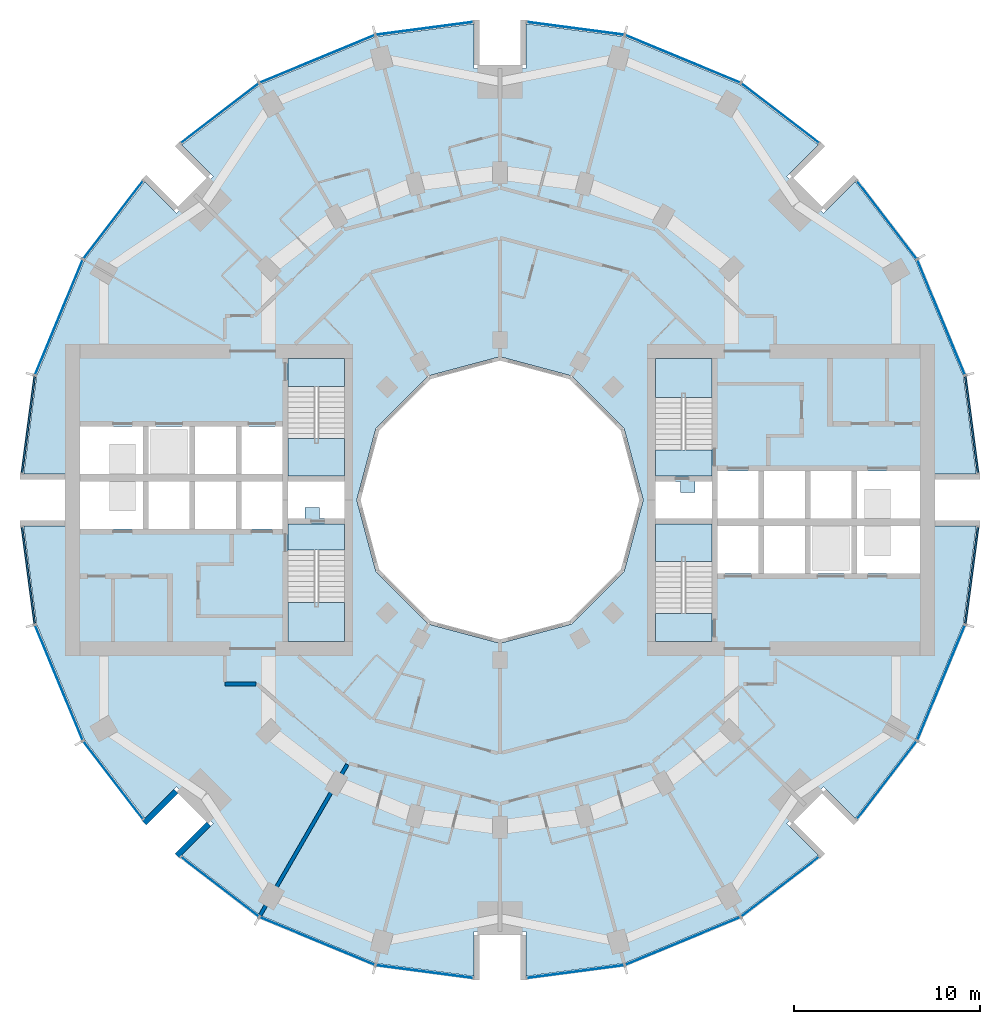
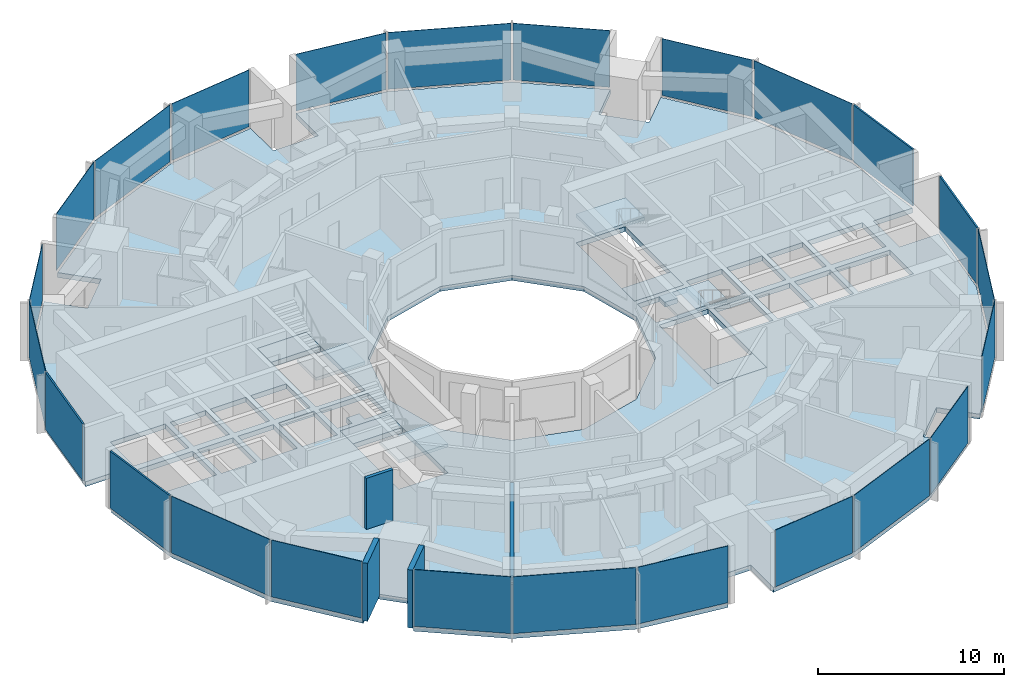
# One storey, part 7 of 15: 24 plates, 9 slabs, 4 walls, 28 elements without a shape of their own.
"""IFC4 building model written with IfcOpenShell, lengths in metres."""

from ifc_helpers import new_model, si_unit, direction, frame, frame_2d, origin, origin_2d, place, context, subcontext, project, spatial, polyline, rectangle, outline, extrude, material, layer, layer_set, type_object, element, aggregate, save


model = new_model("IFC4")

# Units and contexts
model_context = context("Model", 3, precision=1e-05, world=origin(), true_north=direction((0.0, 1.0)))
body_context = subcontext(model_context, "Body", "Model", "MODEL_VIEW")
ifc_project = project(units=[si_unit("LENGTHUNIT", "METRE"), si_unit("AREAUNIT", "SQUARE_METRE"), si_unit("VOLUMEUNIT", "CUBIC_METRE"), si_unit("PLANEANGLEUNIT", "RADIAN"), si_unit("MASSUNIT", "GRAM", prefix="KILO")], contexts=[model_context])

# Site, building, storey
site_placement = place(None, origin())
site = spatial("IfcSite", under=ifc_project, at=site_placement, CompositionType="ELEMENT")
building_placement = place(site_placement, origin())
building = spatial("IfcBuilding", under=site, at=building_placement, Name="Torre Brocal", CompositionType="ELEMENT")
storey_placement = place(building_placement, frame((0.0, 0.0, 66.800048828125)))
storey = spatial("IfcBuildingStorey", under=building, at=storey_placement, Name="L15", CompositionType="ELEMENT", Elevation=66.800048828125)

# Curtain wall, plate
ifc_material_1 = material(Name="Aluminium and glass", Category="aluminium")
ifc_layer_1 = layer(ifc_material_1, 0.199951171875)
ifc_layer_set_1 = layer_set([ifc_layer_1], Name="Aluminium and glass")
curtain_wall_type_1 = type_object("IfcCurtainWallType", Name="CW-1 CURTAIN WALL 3800 HIGH", PredefinedType="NOTDEFINED", material=ifc_layer_set_1)
curtain_wall_1_placement = place(storey_placement, origin())
curtain_wall_1 = element("IfcCurtainWall", 1, at=curtain_wall_1_placement, inside=storey, type_object=curtain_wall_type_1, Name="CW-1 RUN 2", PredefinedType="NOTDEFINED")
ifc_material_2 = material(Name="Glass, dark tinted laminated", Category="glass")
ifc_layer_2 = layer(ifc_material_2, 0.031982421875)
ifc_layer_set_2 = layer_set([ifc_layer_2], Name="Glass, dark tinted laminated")
plate_type_1 = type_object("IfcPlateType", Name="CW-1 GLASS PANEL 32", PredefinedType="CURTAIN_PANEL", material=ifc_layer_set_2)
plate_1_placement = place(storey_placement, frame((103.722900390625, 84.826416015625, 0.080078125), z_axis=(0.0, 0.0, 1.0), x_axis=(-0.382683432333, 0.923879532525, 0.0)))
plate_1 = element("IfcPlate", 2, at=plate_1_placement, type_object=plate_type_1, Name="CW1-1 panel 1.1", PredefinedType="CURTAIN_PANEL", context=body_context, shape_type="SweptSolid", body=[
    extrude(rectangle(XDim=6.64111328125, YDim=0.031982421875, at=origin_2d()), origin(), (0.0, 0.0, 1.0), 3.719970703125),
])
aggregate(curtain_wall_1, [plate_1])

curtain_wall_2_placement = place(storey_placement, origin())
curtain_wall_2 = element("IfcCurtainWall", 3, at=curtain_wall_2_placement, inside=storey, type_object=curtain_wall_type_1, Name="CW-1 RUN 3", PredefinedType="NOTDEFINED")
plate_2_placement = place(storey_placement, frame((100.80126953125, 90.0712890625, 0.080078125), z_axis=(0.0, 0.0, 1.0), x_axis=(-0.60876142905, 0.793353340259, 0.0)))
plate_2 = element("IfcPlate", 4, at=plate_2_placement, type_object=plate_type_1, Name="CW1-1 panel 1.1", PredefinedType="CURTAIN_PANEL", context=body_context, shape_type="SweptSolid", body=[
    extrude(rectangle(XDim=5.22900390625, YDim=0.031982421875, at=origin_2d()), origin(), (0.0, 0.0, 1.0), 3.719970703125),
])
aggregate(curtain_wall_2, [plate_2])

curtain_wall_3_placement = place(storey_placement, origin())
curtain_wall_3 = element("IfcCurtainWall", 5, at=curtain_wall_3_placement, inside=storey, type_object=curtain_wall_type_1, Name="CW-1 RUN 4", PredefinedType="NOTDEFINED")
plate_3_placement = place(storey_placement, frame((95.0712890625, 95.80126953125, 0.080078125), z_axis=(0.0, 0.0, 1.0), x_axis=(-0.793353340259, 0.60876142905, 0.0)))
plate_3 = element("IfcPlate", 6, at=plate_3_placement, type_object=plate_type_1, Name="CW1-1 panel 1.1", PredefinedType="CURTAIN_PANEL", context=body_context, shape_type="SweptSolid", body=[
    extrude(rectangle(XDim=5.22900390625, YDim=0.031982421875, at=origin_2d()), origin(), (0.0, 0.0, 1.0), 3.719970703125),
])
aggregate(curtain_wall_3, [plate_3])

curtain_wall_4_placement = place(storey_placement, origin())
curtain_wall_4 = element("IfcCurtainWall", 7, at=curtain_wall_4_placement, inside=storey, type_object=curtain_wall_type_1, Name="CW-1 RUN 5", PredefinedType="NOTDEFINED")
plate_4_placement = place(storey_placement, frame((89.826416015625, 98.722900390625, 0.080078125), z_axis=(0.0, 0.0, 1.0), x_axis=(-0.923879532525, 0.382683432333, 0.0)))
plate_4 = element("IfcPlate", 8, at=plate_4_placement, type_object=plate_type_1, Name="CW1-1 panel 1.1", PredefinedType="CURTAIN_PANEL", context=body_context, shape_type="SweptSolid", body=[
    extrude(rectangle(XDim=6.64111328125, YDim=0.031982421875, at=origin_2d()), origin(), (0.0, 0.0, 1.0), 3.719970703125),
])
aggregate(curtain_wall_4, [plate_4])

curtain_wall_5_placement = place(storey_placement, origin())
curtain_wall_5 = element("IfcCurtainWall", 9, at=curtain_wall_5_placement, inside=storey, type_object=curtain_wall_type_1, Name="CW-1 RUN 6", PredefinedType="NOTDEFINED")
plate_5_placement = place(storey_placement, frame((84.051513671875, 100.36572265625, 0.080078125), z_axis=(0.0, 0.0, 1.0), x_axis=(-0.991444861374, 0.13052619222, 0.0)))
plate_5 = element("IfcPlate", 10, at=plate_5_placement, type_object=plate_type_1, Name="CW1-1 panel 1.1", PredefinedType="CURTAIN_PANEL", context=body_context, shape_type="SweptSolid", body=[
    extrude(rectangle(XDim=5.22900390625, YDim=0.031982421875, at=origin_2d()), origin(), (0.0, 0.0, 1.0), 3.719970703125),
])
aggregate(curtain_wall_5, [plate_5])

curtain_wall_6_placement = place(storey_placement, origin())
curtain_wall_6 = element("IfcCurtainWall", 11, at=curtain_wall_6_placement, inside=storey, type_object=curtain_wall_type_1, Name="CW-1 RUN 7", PredefinedType="NOTDEFINED")
plate_6_placement = place(storey_placement, frame((75.948486328125, 100.36572265625, 0.080078125), z_axis=(0.0, 0.0, 1.0), x_axis=(-0.991444861374, -0.13052619222, 0.0)))
plate_6 = element("IfcPlate", 12, at=plate_6_placement, type_object=plate_type_1, Name="CW1-1 panel 1.1", PredefinedType="CURTAIN_PANEL", context=body_context, shape_type="SweptSolid", body=[
    extrude(rectangle(XDim=5.22900390625, YDim=0.031982421875, at=origin_2d()), origin(), (0.0, 0.0, 1.0), 3.719970703125),
])
aggregate(curtain_wall_6, [plate_6])

curtain_wall_7_placement = place(storey_placement, origin())
curtain_wall_7 = element("IfcCurtainWall", 13, at=curtain_wall_7_placement, inside=storey, type_object=curtain_wall_type_1, Name="CW-1 RUN 8", PredefinedType="NOTDEFINED")
plate_7_placement = place(storey_placement, frame((70.173583984375, 98.722900390625, 0.080078125), z_axis=(0.0, 0.0, 1.0), x_axis=(-0.923879532525, -0.382683432333, 0.0)))
plate_7 = element("IfcPlate", 14, at=plate_7_placement, type_object=plate_type_1, Name="CW1-1 panel 1.1", PredefinedType="CURTAIN_PANEL", context=body_context, shape_type="SweptSolid", body=[
    extrude(rectangle(XDim=6.64111328125, YDim=0.031982421875, at=origin_2d()), origin(), (0.0, 0.0, 1.0), 3.719970703125),
])
aggregate(curtain_wall_7, [plate_7])

curtain_wall_8_placement = place(storey_placement, origin())
curtain_wall_8 = element("IfcCurtainWall", 15, at=curtain_wall_8_placement, inside=storey, type_object=curtain_wall_type_1, Name="CW-1 RUN 9", PredefinedType="NOTDEFINED")
plate_8_placement = place(storey_placement, frame((64.9287109375, 95.80126953125, 0.080078125), z_axis=(0.0, 0.0, 1.0), x_axis=(-0.793353340259, -0.60876142905, 0.0)))
plate_8 = element("IfcPlate", 16, at=plate_8_placement, type_object=plate_type_1, Name="CW1-1 panel 1.1", PredefinedType="CURTAIN_PANEL", context=body_context, shape_type="SweptSolid", body=[
    extrude(rectangle(XDim=5.22900390625, YDim=0.031982421875, at=origin_2d()), origin(), (0.0, 0.0, 1.0), 3.719970703125),
])
aggregate(curtain_wall_8, [plate_8])

curtain_wall_9_placement = place(storey_placement, origin())
curtain_wall_9 = element("IfcCurtainWall", 17, at=curtain_wall_9_placement, inside=storey, type_object=curtain_wall_type_1, Name="CW-1 RUN 10", PredefinedType="NOTDEFINED")
plate_9_placement = place(storey_placement, frame((59.19873046875, 90.0712890625, 0.080078125), z_axis=(0.0, 0.0, 1.0), x_axis=(-0.60876142905, -0.793353340259, 0.0)))
plate_9 = element("IfcPlate", 18, at=plate_9_placement, type_object=plate_type_1, Name="CW1-1 panel 1.1", PredefinedType="CURTAIN_PANEL", context=body_context, shape_type="SweptSolid", body=[
    extrude(rectangle(XDim=5.22900390625, YDim=0.031982421875, at=origin_2d()), origin(), (0.0, 0.0, 1.0), 3.719970703125),
])
aggregate(curtain_wall_9, [plate_9])

curtain_wall_10_placement = place(storey_placement, origin())
curtain_wall_10 = element("IfcCurtainWall", 19, at=curtain_wall_10_placement, inside=storey, type_object=curtain_wall_type_1, Name="CW-1 RUN 11", PredefinedType="NOTDEFINED")
plate_10_placement = place(storey_placement, frame((56.277099609375, 84.826416015625, 0.080078125), z_axis=(0.0, 0.0, 1.0), x_axis=(-0.382683432333, -0.923879532525, 0.0)))
plate_10 = element("IfcPlate", 20, at=plate_10_placement, type_object=plate_type_1, Name="CW1-1 panel 1.1", PredefinedType="CURTAIN_PANEL", context=body_context, shape_type="SweptSolid", body=[
    extrude(rectangle(XDim=6.64111328125, YDim=0.031982421875, at=origin_2d()), origin(), (0.0, 0.0, 1.0), 3.719970703125),
])
aggregate(curtain_wall_10, [plate_10])

curtain_wall_11_placement = place(storey_placement, origin())
curtain_wall_11 = element("IfcCurtainWall", 21, at=curtain_wall_11_placement, inside=storey, type_object=curtain_wall_type_1, Name="CW-1 RUN 14", PredefinedType="NOTDEFINED")
plate_11_placement = place(storey_placement, frame((56.277099609375, 65.173583984375, 0.080078125), z_axis=(0.0, 0.0, 1.0), x_axis=(0.382683432333, -0.923879532525, 0.0)))
plate_11 = element("IfcPlate", 22, at=plate_11_placement, type_object=plate_type_1, Name="CW1-1 panel 1.1", PredefinedType="CURTAIN_PANEL", context=body_context, shape_type="SweptSolid", body=[
    extrude(rectangle(XDim=6.64111328125, YDim=0.031982421875, at=origin_2d()), origin(), (0.0, 0.0, 1.0), 3.719970703125),
])
aggregate(curtain_wall_11, [plate_11])

curtain_wall_12_placement = place(storey_placement, origin())
curtain_wall_12 = element("IfcCurtainWall", 23, at=curtain_wall_12_placement, inside=storey, type_object=curtain_wall_type_1, Name="CW-1 RUN 15", PredefinedType="NOTDEFINED")
plate_12_placement = place(storey_placement, frame((59.19873046875, 59.9287109375, 0.080078125), z_axis=(0.0, 0.0, 1.0), x_axis=(0.60876142905, -0.793353340259, 0.0)))
plate_12 = element("IfcPlate", 24, at=plate_12_placement, type_object=plate_type_1, Name="CW1-1 panel 1.1", PredefinedType="CURTAIN_PANEL", context=body_context, shape_type="SweptSolid", body=[
    extrude(rectangle(XDim=5.22900390625, YDim=0.031982421875, at=origin_2d()), origin(), (0.0, 0.0, 1.0), 3.719970703125),
])
aggregate(curtain_wall_12, [plate_12])

curtain_wall_13_placement = place(storey_placement, origin())
curtain_wall_13 = element("IfcCurtainWall", 25, at=curtain_wall_13_placement, inside=storey, type_object=curtain_wall_type_1, Name="CW-1 RUN 16", PredefinedType="NOTDEFINED")
plate_13_placement = place(storey_placement, frame((64.9287109375, 54.19873046875, 0.080078125), z_axis=(0.0, 0.0, 1.0), x_axis=(0.793353340259, -0.60876142905, 0.0)))
plate_13 = element("IfcPlate", 26, at=plate_13_placement, type_object=plate_type_1, Name="CW1-1 panel 1.1", PredefinedType="CURTAIN_PANEL", context=body_context, shape_type="SweptSolid", body=[
    extrude(rectangle(XDim=5.22900390625, YDim=0.031982421875, at=origin_2d()), origin(), (0.0, 0.0, 1.0), 3.719970703125),
])
aggregate(curtain_wall_13, [plate_13])

curtain_wall_14_placement = place(storey_placement, origin())
curtain_wall_14 = element("IfcCurtainWall", 27, at=curtain_wall_14_placement, inside=storey, type_object=curtain_wall_type_1, Name="CW-1 RUN 17", PredefinedType="NOTDEFINED")
plate_14_placement = place(storey_placement, frame((70.173583984375, 51.277099609375, 0.080078125), z_axis=(0.0, 0.0, 1.0), x_axis=(0.923879532525, -0.382683432333, 0.0)))
plate_14 = element("IfcPlate", 28, at=plate_14_placement, type_object=plate_type_1, Name="CW1-1 panel 1.1", PredefinedType="CURTAIN_PANEL", context=body_context, shape_type="SweptSolid", body=[
    extrude(rectangle(XDim=6.64111328125, YDim=0.031982421875, at=origin_2d()), origin(), (0.0, 0.0, 1.0), 3.719970703125),
])
aggregate(curtain_wall_14, [plate_14])

curtain_wall_15_placement = place(storey_placement, origin())
curtain_wall_15 = element("IfcCurtainWall", 29, at=curtain_wall_15_placement, inside=storey, type_object=curtain_wall_type_1, Name="CW-1 RUN 18", PredefinedType="NOTDEFINED")
plate_15_placement = place(storey_placement, frame((75.948486328125, 49.63427734375, 0.080078125), z_axis=(0.0, 0.0, 1.0), x_axis=(0.991444861374, -0.13052619222, 0.0)))
plate_15 = element("IfcPlate", 30, at=plate_15_placement, type_object=plate_type_1, Name="CW1-1 panel 1.1", PredefinedType="CURTAIN_PANEL", context=body_context, shape_type="SweptSolid", body=[
    extrude(rectangle(XDim=5.22900390625, YDim=0.031982421875, at=origin_2d()), origin(), (0.0, 0.0, 1.0), 3.719970703125),
])
aggregate(curtain_wall_15, [plate_15])

curtain_wall_16_placement = place(storey_placement, origin())
curtain_wall_16 = element("IfcCurtainWall", 31, at=curtain_wall_16_placement, inside=storey, type_object=curtain_wall_type_1, Name="CW-1 RUN 19", PredefinedType="NOTDEFINED")
plate_16_placement = place(storey_placement, frame((84.051513671875, 49.63427734375, 0.080078125), z_axis=(0.0, 0.0, 1.0), x_axis=(0.991444861374, 0.13052619222, 0.0)))
plate_16 = element("IfcPlate", 32, at=plate_16_placement, type_object=plate_type_1, Name="CW1-1 panel 1.1", PredefinedType="CURTAIN_PANEL", context=body_context, shape_type="SweptSolid", body=[
    extrude(rectangle(XDim=5.22900390625, YDim=0.031982421875, at=origin_2d()), origin(), (0.0, 0.0, 1.0), 3.719970703125),
])
aggregate(curtain_wall_16, [plate_16])

curtain_wall_17_placement = place(storey_placement, origin())
curtain_wall_17 = element("IfcCurtainWall", 33, at=curtain_wall_17_placement, inside=storey, type_object=curtain_wall_type_1, Name="CW-1 RUN 20", PredefinedType="NOTDEFINED")
plate_17_placement = place(storey_placement, frame((89.826416015625, 51.277099609375, 0.080078125), z_axis=(0.0, 0.0, 1.0), x_axis=(0.923879532525, 0.382683432333, 0.0)))
plate_17 = element("IfcPlate", 34, at=plate_17_placement, type_object=plate_type_1, Name="CW1-1 panel 1.1", PredefinedType="CURTAIN_PANEL", context=body_context, shape_type="SweptSolid", body=[
    extrude(rectangle(XDim=6.64111328125, YDim=0.031982421875, at=origin_2d()), origin(), (0.0, 0.0, 1.0), 3.719970703125),
])
aggregate(curtain_wall_17, [plate_17])

curtain_wall_18_placement = place(storey_placement, origin())
curtain_wall_18 = element("IfcCurtainWall", 35, at=curtain_wall_18_placement, inside=storey, type_object=curtain_wall_type_1, Name="CW-1 RUN 21", PredefinedType="NOTDEFINED")
plate_18_placement = place(storey_placement, frame((95.0712890625, 54.19873046875, 0.080078125), z_axis=(0.0, 0.0, 1.0), x_axis=(0.793353340259, 0.60876142905, 0.0)))
plate_18 = element("IfcPlate", 36, at=plate_18_placement, type_object=plate_type_1, Name="CW1-1 panel 1.1", PredefinedType="CURTAIN_PANEL", context=body_context, shape_type="SweptSolid", body=[
    extrude(rectangle(XDim=5.22900390625, YDim=0.031982421875, at=origin_2d()), origin(), (0.0, 0.0, 1.0), 3.719970703125),
])
aggregate(curtain_wall_18, [plate_18])

curtain_wall_19_placement = place(storey_placement, origin())
curtain_wall_19 = element("IfcCurtainWall", 37, at=curtain_wall_19_placement, inside=storey, type_object=curtain_wall_type_1, Name="CW-1 RUN 22", PredefinedType="NOTDEFINED")
plate_19_placement = place(storey_placement, frame((100.80126953125, 59.9287109375, 0.080078125), z_axis=(0.0, 0.0, 1.0), x_axis=(0.60876142905, 0.793353340259, 0.0)))
plate_19 = element("IfcPlate", 38, at=plate_19_placement, type_object=plate_type_1, Name="CW1-1 panel 1.1", PredefinedType="CURTAIN_PANEL", context=body_context, shape_type="SweptSolid", body=[
    extrude(rectangle(XDim=5.22900390625, YDim=0.031982421875, at=origin_2d()), origin(), (0.0, 0.0, 1.0), 3.719970703125),
])
aggregate(curtain_wall_19, [plate_19])

curtain_wall_20_placement = place(storey_placement, origin())
curtain_wall_20 = element("IfcCurtainWall", 39, at=curtain_wall_20_placement, inside=storey, type_object=curtain_wall_type_1, Name="CW-1 RUN 23", PredefinedType="NOTDEFINED")
plate_20_placement = place(storey_placement, frame((103.722900390625, 65.173583984375, 0.080078125), z_axis=(0.0, 0.0, 1.0), x_axis=(0.382683432333, 0.923879532525, 0.0)))
plate_20 = element("IfcPlate", 40, at=plate_20_placement, type_object=plate_type_1, Name="CW1-1 panel 1.1", PredefinedType="CURTAIN_PANEL", context=body_context, shape_type="SweptSolid", body=[
    extrude(rectangle(XDim=6.64111328125, YDim=0.031982421875, at=origin_2d()), origin(), (0.0, 0.0, 1.0), 3.719970703125),
])
aggregate(curtain_wall_20, [plate_20])

ifc_material_3 = material(Name="Aluminium and glass", Category="aluminium")
ifc_layer_3 = layer(ifc_material_3, 0.199951171875)
ifc_layer_set_3 = layer_set([ifc_layer_3], Name="Aluminium and glass")
curtain_wall_type_2 = type_object("IfcCurtainWallType", Name="CW-1B CURTAIN WALL 3800 HIGH", PredefinedType="NOTDEFINED", material=ifc_layer_set_3)
curtain_wall_21_placement = place(storey_placement, origin())
curtain_wall_21 = element("IfcCurtainWall", 41, at=curtain_wall_21_placement, inside=storey, type_object=curtain_wall_type_2, Name="CW-1B RUN 1", PredefinedType="NOTDEFINED")
ifc_material_4 = material(Name="Aluminium composite panel", Category="aluminium")
ifc_layer_4 = layer(ifc_material_4, 0.10009765625)
ifc_layer_set_4 = layer_set([ifc_layer_4], Name="Aluminium composite panel")
plate_type_2 = type_object("IfcPlateType", Name="CW-1B OPAQUE PANEL 100", PredefinedType="CURTAIN_PANEL", material=ifc_layer_set_4)
plate_21_placement = place(storey_placement, frame((105.36572265625, 79.051513671875, 0.080078125), z_axis=(0.0, 0.0, 1.0), x_axis=(-0.13052619222, 0.991444861374, 0.0)))
plate_21 = element("IfcPlate", 42, at=plate_21_placement, type_object=plate_type_2, Name="CW1B-1 panel 1.1", PredefinedType="CURTAIN_PANEL", context=body_context, shape_type="SweptSolid", body=[
    extrude(rectangle(XDim=5.22900390625, YDim=0.10009765625, at=origin_2d()), origin(), (0.0, 0.0, 1.0), 3.719970703125),
])
aggregate(curtain_wall_21, [plate_21])

curtain_wall_22_placement = place(storey_placement, origin())
curtain_wall_22 = element("IfcCurtainWall", 43, at=curtain_wall_22_placement, inside=storey, type_object=curtain_wall_type_2, Name="CW-1B RUN 12", PredefinedType="NOTDEFINED")
plate_22_placement = place(storey_placement, frame((54.63427734375, 79.051513671875, 0.080078125), z_axis=(0.0, 0.0, 1.0), x_axis=(-0.13052619222, -0.991444861374, 0.0)))
plate_22 = element("IfcPlate", 44, at=plate_22_placement, type_object=plate_type_2, Name="CW1B-1 panel 1.1", PredefinedType="CURTAIN_PANEL", context=body_context, shape_type="SweptSolid", body=[
    extrude(rectangle(XDim=5.22900390625, YDim=0.10009765625, at=origin_2d()), origin(), (0.0, 0.0, 1.0), 3.719970703125),
])
aggregate(curtain_wall_22, [plate_22])

curtain_wall_23_placement = place(storey_placement, origin())
curtain_wall_23 = element("IfcCurtainWall", 45, at=curtain_wall_23_placement, inside=storey, type_object=curtain_wall_type_2, Name="CW-1B RUN 13", PredefinedType="NOTDEFINED")
plate_23_placement = place(storey_placement, frame((54.63427734375, 70.948486328125, 0.080078125), z_axis=(0.0, 0.0, 1.0), x_axis=(0.13052619222, -0.991444861374, 0.0)))
plate_23 = element("IfcPlate", 46, at=plate_23_placement, type_object=plate_type_2, Name="CW1B-1 panel 1.1", PredefinedType="CURTAIN_PANEL", context=body_context, shape_type="SweptSolid", body=[
    extrude(rectangle(XDim=5.22900390625, YDim=0.10009765625, at=origin_2d()), origin(), (0.0, 0.0, 1.0), 3.719970703125),
])
aggregate(curtain_wall_23, [plate_23])

curtain_wall_24_placement = place(storey_placement, origin())
curtain_wall_24 = element("IfcCurtainWall", 47, at=curtain_wall_24_placement, inside=storey, type_object=curtain_wall_type_2, Name="CW-1B RUN 24", PredefinedType="NOTDEFINED")
plate_24_placement = place(storey_placement, frame((105.36572265625, 70.948486328125, 0.080078125), z_axis=(0.0, 0.0, 1.0), x_axis=(0.13052619222, 0.991444861374, 0.0)))
plate_24 = element("IfcPlate", 48, at=plate_24_placement, type_object=plate_type_2, Name="CW1B-1 panel 1.1", PredefinedType="CURTAIN_PANEL", context=body_context, shape_type="SweptSolid", body=[
    extrude(rectangle(XDim=5.22900390625, YDim=0.10009765625, at=origin_2d()), origin(), (0.0, 0.0, 1.0), 3.719970703125),
])
aggregate(curtain_wall_24, [plate_24])

# Stair, slab
ifc_material_5 = material(Name="Concrete C50", Category="concrete")
stair_type = type_object("IfcStairType", Name="EXIT STAIR", PredefinedType="HALF_TURN_STAIR", material=ifc_material_5)
stair_1_placement = place(storey_placement, origin())
stair_1 = element("IfcStair", 49, at=stair_1_placement, inside=storey, type_object=stair_type, Name="EXIT STAIR ST1", PredefinedType="HALF_TURN_STAIR")
ifc_material_6 = material(Name="Concrete C50", Category="concrete")
ifc_layer_5 = layer(ifc_material_6, 0.320068359375)
ifc_layer_set_5 = layer_set([ifc_layer_5], Name="Concrete C50")
slab_type_1 = type_object("IfcSlabType", Name="FLOOR LANDING 320", PredefinedType="LANDING", material=ifc_layer_set_5)
slab_1_placement = place(storey_placement, frame((0.0, 0.0, -0.320068359375)))
slab_1 = element("IfcSlab", 50, at=slab_1_placement, type_object=slab_type_1, Name="ST1 landing 1", PredefinedType="LANDING", context=body_context, shape_type="SweptSolid", body=[
    extrude(outline(polyline([(88.35009765625, 76.300048828125), (91.39990234375, 76.300048828125), (91.39990234375, 77.699951171875), (88.35009765625, 77.699951171875), (88.35009765625, 76.300048828125)])), origin(), (0.0, 0.0, 1.0), 0.320068359375),
])

stair_2_placement = place(storey_placement, origin())
stair_2 = element("IfcStair", 51, at=stair_2_placement, inside=storey, type_object=stair_type, Name="EXIT STAIR ST2", PredefinedType="HALF_TURN_STAIR")
slab_2_placement = place(storey_placement, frame((0.0, 0.0, -0.320068359375)))
slab_2 = element("IfcSlab", 52, at=slab_2_placement, type_object=slab_type_1, Name="ST2 landing 1", PredefinedType="LANDING", context=body_context, shape_type="SweptSolid", body=[
    extrude(outline(polyline([(88.35009765625, 67.39990234375), (91.39990234375, 67.39990234375), (91.39990234375, 68.89990234375), (88.35009765625, 68.89990234375), (88.35009765625, 67.39990234375)])), origin(), (0.0, 0.0, 1.0), 0.320068359375),
])

stair_3_placement = place(storey_placement, origin())
stair_3 = element("IfcStair", 53, at=stair_3_placement, inside=storey, type_object=stair_type, Name="EXIT STAIR ST3", PredefinedType="HALF_TURN_STAIR")
slab_3_placement = place(storey_placement, frame((0.0, 0.0, -0.320068359375)))
slab_3 = element("IfcSlab", 54, at=slab_3_placement, type_object=slab_type_1, Name="ST3 landing 1", PredefinedType="LANDING", context=body_context, shape_type="SweptSolid", body=[
    extrude(outline(polyline([(71.64990234375, 73.699951171875), (68.60009765625, 73.699951171875), (68.60009765625, 72.300048828125), (71.64990234375, 72.300048828125), (71.64990234375, 73.699951171875)])), origin(), (0.0, 0.0, 1.0), 0.320068359375),
])

stair_4_placement = place(storey_placement, origin())
stair_4 = element("IfcStair", 55, at=stair_4_placement, inside=storey, type_object=stair_type, Name="EXIT STAIR ST4", PredefinedType="HALF_TURN_STAIR")
slab_4_placement = place(storey_placement, frame((0.0, 0.0, -0.320068359375)))
slab_4 = element("IfcSlab", 56, at=slab_4_placement, type_object=slab_type_1, Name="ST4 landing 1", PredefinedType="LANDING", context=body_context, shape_type="SweptSolid", body=[
    extrude(outline(polyline([(71.64990234375, 82.60009765625), (68.60009765625, 82.60009765625), (68.60009765625, 81.10009765625), (71.64990234375, 81.10009765625), (71.64990234375, 82.60009765625)])), origin(), (0.0, 0.0, 1.0), 0.320068359375),
])

# Slab
ifc_material_7 = material(Name="Concrete C50", Category="concrete")
ifc_layer_6 = layer(ifc_material_7, 0.199951171875)
ifc_layer_set_6 = layer_set([ifc_layer_6], Name="Concrete C50")
slab_type_2 = type_object("IfcSlabType", Name="MID LANDING +1900", PredefinedType="LANDING", material=ifc_layer_set_6)
slab_5_placement = place(storey_placement, frame((0.0, 0.0, 1.699951171875)))
slab_5 = element("IfcSlab", 57, at=slab_5_placement, type_object=slab_type_2, Name="ST1 landing 2", PredefinedType="LANDING", context=body_context, shape_type="SweptSolid", body=[
    extrude(outline(polyline([(88.35009765625, 80.5), (91.39990234375, 80.5), (91.39990234375, 82.60009765625), (88.35009765625, 82.60009765625), (88.35009765625, 80.5)])), origin(), (0.0, 0.0, 1.0), 0.199951171875),
])

aggregate(stair_1, [slab_1, slab_5])

slab_6_placement = place(storey_placement, frame((0.0, 0.0, 1.699951171875)))
slab_6 = element("IfcSlab", 58, at=slab_6_placement, type_object=slab_type_2, Name="ST2 landing 2", PredefinedType="LANDING", context=body_context, shape_type="SweptSolid", body=[
    extrude(outline(polyline([(88.35009765625, 71.699951171875), (91.39990234375, 71.699951171875), (91.39990234375, 73.699951171875), (88.35009765625, 73.699951171875), (88.35009765625, 71.699951171875)])), origin(), (0.0, 0.0, 1.0), 0.199951171875),
])

aggregate(stair_2, [slab_2, slab_6])

slab_7_placement = place(storey_placement, frame((0.0, 0.0, 1.699951171875)))
slab_7 = element("IfcSlab", 59, at=slab_7_placement, type_object=slab_type_2, Name="ST3 landing 2", PredefinedType="LANDING", context=body_context, shape_type="SweptSolid", body=[
    extrude(outline(polyline([(71.64990234375, 69.5), (68.60009765625, 69.5), (68.60009765625, 67.39990234375), (71.64990234375, 67.39990234375), (71.64990234375, 69.5)])), origin(), (0.0, 0.0, 1.0), 0.199951171875),
])

aggregate(stair_3, [slab_3, slab_7])

slab_8_placement = place(storey_placement, frame((0.0, 0.0, 1.699951171875)))
slab_8 = element("IfcSlab", 60, at=slab_8_placement, type_object=slab_type_2, Name="ST4 landing 2", PredefinedType="LANDING", context=body_context, shape_type="SweptSolid", body=[
    extrude(outline(polyline([(71.64990234375, 78.300048828125), (68.60009765625, 78.300048828125), (68.60009765625, 76.300048828125), (71.64990234375, 76.300048828125), (71.64990234375, 78.300048828125)])), origin(), (0.0, 0.0, 1.0), 0.199951171875),
])

aggregate(stair_4, [slab_4, slab_8])

ifc_material_8 = material(Name="Concrete C45", Category="concrete")
ifc_layer_7 = layer(ifc_material_8, 0.320068359375)
ifc_layer_set_7 = layer_set([ifc_layer_7], Name="Concrete C45")
slab_type_3 = type_object("IfcSlabType", Name="PT FLOOR SLAB 320 C45", PredefinedType="FLOOR", material=ifc_layer_set_7)
slab_9_placement = place(storey_placement, frame((0.0, 0.0, -0.320068359375)))
element("IfcSlab", 61, at=slab_9_placement, inside=storey, type_object=slab_type_3, Name="Slab ST-05", PredefinedType="FLOOR", context=body_context, shape_type="SweptSolid", body=[
    extrude(outline(polyline([(103.199951171875, 76.39990234375), (103.199951171875, 73.60009765625), (105.614013671875, 73.60009765625), (104.919189453125, 68.322998046875), (102.342041015625, 62.100830078125), (99.101806640625, 57.878173828125), (97.394775390625, 59.5849609375), (95.4150390625, 57.605224609375), (97.121826171875, 55.898193359375), (92.899169921875, 52.657958984375), (86.677001953125, 50.080810546875), (81.39990234375, 49.385986328125), (81.39990234375, 51.800048828125), (78.60009765625, 51.800048828125), (78.60009765625, 49.385986328125), (73.322998046875, 50.080810546875), (67.100830078125, 52.657958984375), (62.878173828125, 55.898193359375), (64.5849609375, 57.605224609375), (62.605224609375, 59.5849609375), (60.898193359375, 57.878173828125), (57.657958984375, 62.100830078125), (55.080810546875, 68.322998046875), (54.385986328125, 73.60009765625), (56.800048828125, 73.60009765625), (56.800048828125, 76.39990234375), (54.385986328125, 76.39990234375), (55.080810546875, 81.677001953125), (57.657958984375, 87.899169921875), (60.898193359375, 92.121826171875), (62.605224609375, 90.4150390625), (64.5849609375, 92.394775390625), (62.878173828125, 94.101806640625), (67.100830078125, 97.342041015625), (73.322998046875, 99.919189453125), (78.60009765625, 100.614013671875), (78.60009765625, 98.199951171875), (81.39990234375, 98.199951171875), (81.39990234375, 100.614013671875), (86.677001953125, 99.919189453125), (92.899169921875, 97.342041015625), (97.121826171875, 94.101806640625), (95.4150390625, 92.394775390625), (97.394775390625, 90.4150390625), (99.101806640625, 92.121826171875), (102.342041015625, 87.899169921875), (104.919189453125, 81.677001953125), (105.614013671875, 76.39990234375), (103.199951171875, 76.39990234375)]), holes=[polyline([(102.60009765625, 74.0), (102.60009765625, 76.550048828125), (99.199951171875, 76.550048828125), (99.199951171875, 74.0), (102.60009765625, 74.0)]), polyline([(102.60009765625, 71.050048828125), (102.60009765625, 73.60009765625), (99.199951171875, 73.60009765625), (99.199951171875, 71.050048828125), (102.60009765625, 71.050048828125)]), polyline([(98.89990234375, 76.550048828125), (96.699951171875, 76.550048828125), (96.699951171875, 74.0), (98.89990234375, 74.0), (98.89990234375, 76.550048828125)]), polyline([(98.89990234375, 71.050048828125), (98.89990234375, 73.60009765625), (96.699951171875, 73.60009765625), (96.699951171875, 71.050048828125), (98.89990234375, 71.050048828125)]), polyline([(96.39990234375, 73.60009765625), (94.199951171875, 73.60009765625), (94.199951171875, 71.050048828125), (96.39990234375, 71.050048828125), (96.39990234375, 73.60009765625)]), polyline([(96.39990234375, 74.0), (96.39990234375, 76.550048828125), (94.199951171875, 76.550048828125), (94.199951171875, 74.0), (96.39990234375, 74.0)]), polyline([(93.89990234375, 73.60009765625), (91.699951171875, 73.60009765625), (91.699951171875, 71.050048828125), (93.89990234375, 71.050048828125), (93.89990234375, 73.60009765625)]), polyline([(93.89990234375, 74.0), (93.89990234375, 76.550048828125), (91.699951171875, 76.550048828125), (91.699951171875, 74.0), (93.89990234375, 74.0)]), polyline([(91.39990234375, 76.300048828125), (91.39990234375, 82.60009765625), (88.35009765625, 82.60009765625), (88.35009765625, 76.300048828125), (91.39990234375, 76.300048828125)]), polyline([(91.39990234375, 73.699951171875), (88.35009765625, 73.699951171875), (88.35009765625, 67.39990234375), (91.39990234375, 67.39990234375), (91.39990234375, 73.699951171875)]), polyline([(89.699951171875, 76.0), (88.35009765625, 76.0), (88.35009765625, 74.0), (91.39990234375, 74.0), (91.39990234375, 76.0), (90.5, 76.0), (90.5, 75.39990234375), (89.699951171875, 75.39990234375), (89.699951171875, 76.0)]), polyline([(80.0, 82.70703125), (76.146484375, 81.674560546875), (73.325439453125, 78.853515625), (72.29296875, 75.0), (73.325439453125, 71.146484375), (76.146484375, 68.325439453125), (80.0, 67.29296875), (83.853515625, 68.325439453125), (86.674560546875, 71.146484375), (87.70703125, 75.0), (86.674560546875, 78.853515625), (83.853515625, 81.674560546875), (80.0, 82.70703125)]), polyline([(68.60009765625, 82.60009765625), (68.60009765625, 76.300048828125), (71.64990234375, 76.300048828125), (71.64990234375, 82.60009765625), (68.60009765625, 82.60009765625)]), polyline([(70.300048828125, 74.0), (71.64990234375, 74.0), (71.64990234375, 76.0), (68.60009765625, 76.0), (68.60009765625, 74.0), (69.5, 74.0), (69.5, 74.60009765625), (70.300048828125, 74.60009765625), (70.300048828125, 74.0)]), polyline([(68.60009765625, 67.39990234375), (71.64990234375, 67.39990234375), (71.64990234375, 73.699951171875), (68.60009765625, 73.699951171875), (68.60009765625, 67.39990234375)]), polyline([(66.10009765625, 78.949951171875), (66.10009765625, 76.39990234375), (68.300048828125, 76.39990234375), (68.300048828125, 78.949951171875), (66.10009765625, 78.949951171875)]), polyline([(66.10009765625, 76.0), (66.10009765625, 73.449951171875), (68.300048828125, 73.449951171875), (68.300048828125, 76.0), (66.10009765625, 76.0)]), polyline([(63.60009765625, 76.0), (63.60009765625, 73.449951171875), (65.800048828125, 73.449951171875), (65.800048828125, 76.0), (63.60009765625, 76.0)]), polyline([(63.60009765625, 76.39990234375), (65.800048828125, 76.39990234375), (65.800048828125, 78.949951171875), (63.60009765625, 78.949951171875), (63.60009765625, 76.39990234375)]), polyline([(61.10009765625, 78.949951171875), (61.10009765625, 76.39990234375), (63.300048828125, 76.39990234375), (63.300048828125, 78.949951171875), (61.10009765625, 78.949951171875)]), polyline([(61.10009765625, 73.449951171875), (63.300048828125, 73.449951171875), (63.300048828125, 76.0), (61.10009765625, 76.0), (61.10009765625, 73.449951171875)]), polyline([(57.39990234375, 73.449951171875), (60.800048828125, 73.449951171875), (60.800048828125, 76.0), (57.39990234375, 76.0), (57.39990234375, 73.449951171875)]), polyline([(57.39990234375, 78.949951171875), (57.39990234375, 76.39990234375), (60.800048828125, 76.39990234375), (60.800048828125, 78.949951171875), (57.39990234375, 78.949951171875)])]), origin(), (0.0, 0.0, 1.0), 0.320068359375),
])

# Walls
ifc_material_9 = material(Name="Concrete C80", Category="concrete")
ifc_layer_8 = layer(ifc_material_9, 0.300048828125)
ifc_layer_set_8 = layer_set([ifc_layer_8], Name="Concrete C80")
wall_type_1 = type_object("IfcWallType", Name="NOTCH RETURN WALL 300 C80", PredefinedType="NOTDEFINED", material=ifc_layer_set_8)
for number, where, z_axis, x_axis, name in (
    (62, (62.56982421875, 59.337646484375, 0.0), (0.0, 0.0, 1.0), (-0.707106781187, -0.707106781187, 0.0), "NOTCH RETURN WALL"),
    (63, (64.337646484375, 57.56982421875, 0.0), (0.0, 0.0, 1.0), (-0.707106781187, -0.707106781187, 0.0), "NOTCH RETURN WALL"),
):
    element("IfcWall", number, at=place(storey_placement, frame(where, z_axis=z_axis, x_axis=x_axis)), inside=storey, type_object=wall_type_1, Name=name, PredefinedType="NOTDEFINED", context=body_context, shape_type="SweptSolid", body=[
        extrude(rectangle(XDim=2.415771484375, YDim=0.300048828125, at=frame_2d((1.2080078125, 0.0))), origin(), (0.0, 0.0, 1.0), 3.800048828125),
    ])
ifc_material_10 = material(Name="Gypsum board", Category="Gypsum")
ifc_layer_9 = layer(ifc_material_10, 0.199951171875)
ifc_layer_set_9 = layer_set([ifc_layer_9], Name="Gypsum board")
wall_type_2 = type_object("IfcWallType", Name="PARTITION 200 EI60", PredefinedType="PARTITIONING", material=ifc_layer_set_9)
wall_1_placement = place(storey_placement, frame((65.199951171875, 65.10009765625, 0.0), z_axis=(0.0, 0.0, 1.0), x_axis=(1.0, 0.0, 0.0)))
element("IfcWall", 64, at=wall_1_placement, inside=storey, type_object=wall_type_2, Name="CORRIDOR WALL", PredefinedType="PARTITIONING", context=body_context, shape_type="SweptSolid", body=[
    extrude(rectangle(XDim=1.6650390625, YDim=0.199951171875, at=frame_2d((0.83251953125, 0.0))), origin(), (0.0, 0.0, 1.0), 3.349853515625),
])
wall_2_placement = place(storey_placement, frame((67.09912109375, 52.6611328125, 0.0), z_axis=(0.0, 0.0, 1.0), x_axis=(0.500234203776, 0.86589014394, 0.0)))
element("IfcWall", 65, at=wall_2_placement, inside=storey, type_object=wall_type_2, Name="PARTY PARTITION", PredefinedType="PARTITIONING", context=body_context, shape_type="SweptSolid", body=[
    extrude(rectangle(XDim=9.37353515625, YDim=0.199951171875, at=frame_2d((4.686767578125, 0.0))), origin(), (0.0, 0.0, 1.0), 3.349853515625),
])

save(model, "model.ifc")
